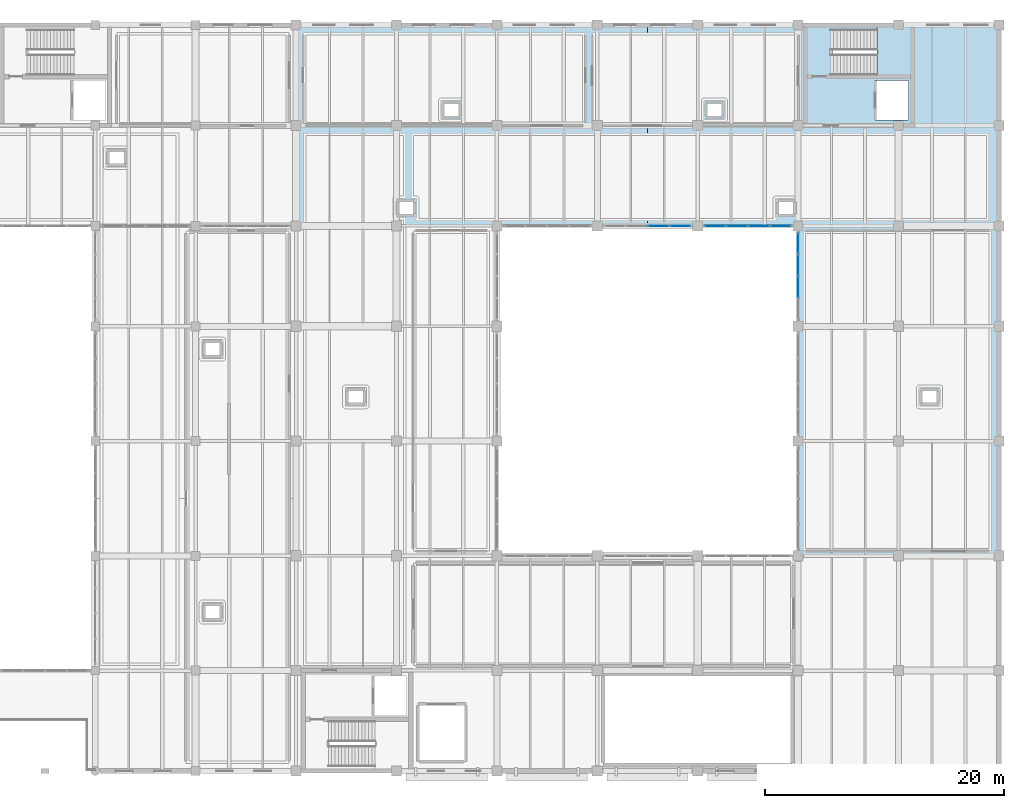
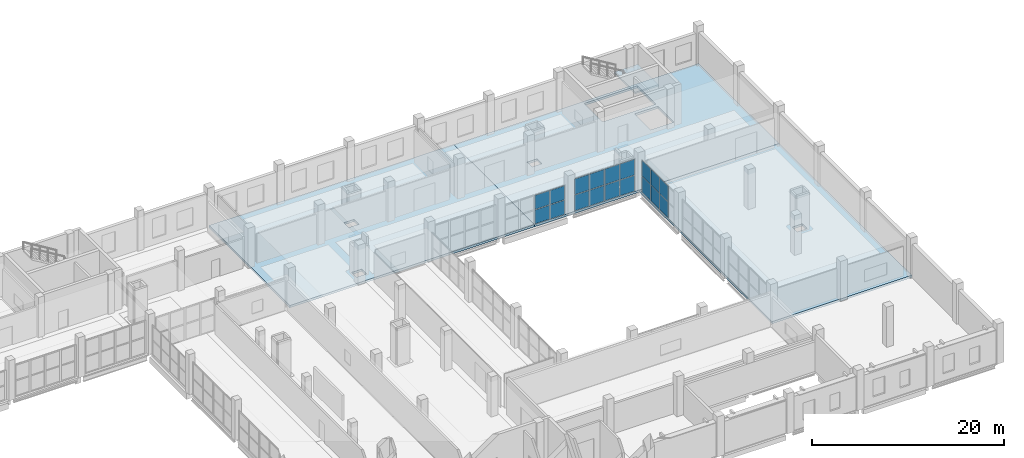
# One storey, part 43 of 66: 18 plates, 4 slabs, 4 elements without a shape of their own.
"""IFC4 building model written with IfcOpenShell, lengths in metres."""

import ifcopenshell
import ifcopenshell.guid

model = None  # the IFC model being written
_history = None  # IfcOwnerHistory: only IFC2X3 demands one
_inside = {}  # id of a spatial element -> (the spatial element, [elements in it])
_under = {}  # id of a project, library or spatial element -> (it, [spatial elements below it])
_declared = {}  # id of a project -> (the project, [libraries it declares])
_typed = {}  # id of a type object -> (the type object, [elements of that type])
_made_of = {}  # id of a material, layer set ... -> (it, [elements and type objects made of it])


def new_model(schema):
    """Start an empty IFC model of exactly this schema.

    Asked for "IFC4X3", IfcOpenShell would pick the latest addendum, in which some entities
    have other attributes; the version numbers below select the first issue.
    IFC2X3 requires an IfcOwnerHistory on every rooted entity: one is made here for all.
    """
    global model, _history
    if schema == "IFC4X3":
        model = ifcopenshell.file(schema_version=(4, 3, 0, 0))
    else:
        model = ifcopenshell.file(schema=schema)
    _inside.clear()
    _under.clear()
    _declared.clear()
    _typed.clear()
    _made_of.clear()
    _history = None
    if model.schema == "IFC2X3":
        org = make("IfcOrganization", Name="unknown")
        user = make(
            "IfcPersonAndOrganization",
            ThePerson=make("IfcPerson", FamilyName="unknown"),
            TheOrganization=org,
        )
        app = make(
            "IfcApplication",
            ApplicationDeveloper=org,
            Version="unknown",
            ApplicationFullName="unknown",
            ApplicationIdentifier="unknown",
        )
        _history = make(
            "IfcOwnerHistory",
            OwningUser=user,
            OwningApplication=app,
            ChangeAction="ADDED",
            CreationDate=0,
        )
    return model


def make(cls, **values):
    """One entity of the class cls with the attributes given. An attribute that is None is left unset."""
    return model.create_entity(
        cls, **{name: value for name, value in values.items() if value is not None}
    )


def rooted(cls, **values):
    """An entity with a GlobalId (a new one), such as an element, a storey or a relation."""
    return make(cls, GlobalId=ifcopenshell.guid.new(), OwnerHistory=_history, **values)


def si_unit(unit_type, name, prefix=None):
    """IfcSIUnit, for example si_unit("LENGTHUNIT", "METRE", prefix="MILLI")."""
    return make("IfcSIUnit", UnitType=unit_type, Prefix=prefix, Name=name)


def assignment(units):
    """IfcUnitAssignment: the units of a project."""
    return None if units is None else make("IfcUnitAssignment", Units=units)


def point(xyz):
    """IfcCartesianPoint."""
    return None if xyz is None else make("IfcCartesianPoint", Coordinates=xyz)


def direction(xyz):
    """IfcDirection."""
    return None if xyz is None else make("IfcDirection", DirectionRatios=xyz)


def frame(location, z_axis=None, x_axis=None):
    """IfcAxis2Placement3D, a coordinate frame: its origin and axes. An axis left out is left unset."""
    return make(
        "IfcAxis2Placement3D",
        Location=point(location),
        Axis=direction(z_axis),
        RefDirection=direction(x_axis),
    )


def frame_2d(location, x_axis=None):
    """IfcAxis2Placement2D, a coordinate frame in the plane: its origin and x axis."""
    return make(
        "IfcAxis2Placement2D", Location=point(location), RefDirection=direction(x_axis)
    )


def origin():
    """The frame at (0, 0, 0) with its axes left unset."""
    return frame((0.0, 0.0, 0.0))


def origin_2d():
    """The frame at (0, 0) in the plane with its x axis left unset."""
    return frame_2d((0.0, 0.0))


def place(relative_to, where):
    """IfcLocalPlacement: puts the frame where relative to a parent placement (None: the world)."""
    return make(
        "IfcLocalPlacement", PlacementRelTo=relative_to, RelativePlacement=where
    )


def context(
    kind, dimensions, precision=None, world=None, true_north=None, identifier=None
):
    """IfcGeometricRepresentationContext, for example the 3D "Model" context."""
    return make(
        "IfcGeometricRepresentationContext",
        ContextIdentifier=identifier,
        ContextType=kind,
        CoordinateSpaceDimension=dimensions,
        Precision=precision,
        WorldCoordinateSystem=world,
        TrueNorth=true_north,
    )


def subcontext(parent, identifier, kind, view, scale=None):
    """IfcGeometricRepresentationSubContext, for example "Body" below "Model"."""
    return make(
        "IfcGeometricRepresentationSubContext",
        ContextIdentifier=identifier,
        ContextType=kind,
        ParentContext=parent,
        TargetScale=scale,
        TargetView=view,
    )


def project(units=None, contexts=None):
    """IfcProject with its units and contexts."""
    return rooted(
        "IfcProject",
        Name="project",
        RepresentationContexts=contexts,
        UnitsInContext=assignment(units),
    )


def spatial(cls, under=None, at=None, **own):
    """A site, building, storey or space (cls), placed at a placement, below another one or the project."""
    s = rooted(cls, ObjectPlacement=at, **own)
    if under is not None:
        _under.setdefault(under.id(), (under, []))[1].append(s)
    return s


def polyline(points):
    """IfcPolyline through the points."""
    return make("IfcPolyline", Points=[point(p) for p in points])


def profile(cls, at=None, kind="AREA", **sizes):
    """A parametric profile (cls). Its sizes go by their IFC names, for example OverallWidth=200.0."""
    return make(cls, ProfileType=kind, Position=at, **sizes)


def rectangle(**sizes):
    """IfcRectangleProfileDef."""
    return profile("IfcRectangleProfileDef", **sizes)


def outline(outer, holes=None, kind="AREA"):
    """IfcArbitraryClosedProfileDef: a profile drawn as a closed curve; with holes, ...WithVoids."""
    if holes is None:
        return make("IfcArbitraryClosedProfileDef", ProfileType=kind, OuterCurve=outer)
    return make(
        "IfcArbitraryProfileDefWithVoids",
        ProfileType=kind,
        OuterCurve=outer,
        InnerCurves=holes,
    )


def extrude(swept, where, along, depth):
    """IfcExtrudedAreaSolid: the profile swept, set in the frame where, extruded along a direction by depth."""
    return make(
        "IfcExtrudedAreaSolid",
        SweptArea=swept,
        Position=where,
        ExtrudedDirection=direction(along),
        Depth=depth,
    )


def shape(context_of_items, identifier, shape_type, items):
    """IfcShapeRepresentation: the items that make up one representation, for example the "Body"."""
    return make(
        "IfcShapeRepresentation",
        ContextOfItems=context_of_items,
        RepresentationIdentifier=identifier,
        RepresentationType=shape_type,
        Items=items,
    )


def material(Name=None, Category=None):
    """IfcMaterial."""
    return make("IfcMaterial", Name=Name, Category=Category)


def layer(
    of_material, thickness, ventilated=None, Name=None, Category=None, Priority=None
):
    """IfcMaterialLayer: one layer of a wall or slab, of a material (None: an air gap)."""
    return make(
        "IfcMaterialLayer",
        Material=of_material,
        LayerThickness=thickness,
        IsVentilated=ventilated,
        Name=Name,
        Category=Category,
        Priority=Priority,
    )


def layer_set(layers, Name=None):
    """IfcMaterialLayerSet."""
    return make("IfcMaterialLayerSet", MaterialLayers=layers, LayerSetName=Name)


def made_of(thing, what):
    """Note that an element or type object is made of a material, layer set ...; save() writes the relation."""
    if what is not None:
        _made_of.setdefault(what.id(), (what, []))[1].append(thing)
    return thing


def type_object(cls, material=None, **own):
    """A type object (cls), such as IfcWallType, which elements share."""
    return made_of(rooted(cls, **own), material)


def element(
    cls,
    number,
    at=None,
    inside=None,
    cuts=None,
    type_object=None,
    material=None,
    context=None,
    identifier="Body",
    shape_type=None,
    held_by="IfcProductDefinitionShape",
    body=None,
    shapes=None,
    **own,
):
    """One element of the class cls, such as IfcWall. Its Tag is "e" and its number.

    at: its placement. inside: the storey or other place that contains it. cuts: it is an
    opening in that element (IfcRelVoidsElement). A single representation is given by context,
    identifier, shape_type and body (its items); several are given by shapes. held_by: the class
    of the entity that holds the representations. save() writes the other relations.
    """
    e = rooted(cls, Tag="e%d" % number, ObjectPlacement=at, **own)
    if body is not None:
        shapes = [shape(context, identifier, shape_type, body)]
    if shapes is not None:
        e.Representation = make(held_by, Representations=shapes)
    if inside is not None:
        _inside.setdefault(inside.id(), (inside, []))[1].append(e)
    if cuts is not None:
        rooted(
            "IfcRelVoidsElement", RelatingBuildingElement=cuts, RelatedOpeningElement=e
        )
    if type_object is not None:
        _typed.setdefault(type_object.id(), (type_object, []))[1].append(e)
    return made_of(e, material)


def aggregate(whole, parts):
    """IfcRelAggregates: a whole, such as a stair, and the parts it consists of."""
    return rooted("IfcRelAggregates", RelatingObject=whole, RelatedObjects=parts)


def save(model, path):
    """Write the relations noted so far, then the file.

    IfcRelAggregates (storeys below a building ...), IfcRelContainedInSpatialStructure (elements
    in a storey), IfcRelDefinesByType, IfcRelAssociatesMaterial and IfcRelDeclares: one each for
    every whole, place, type object, material and project.
    """
    for whole, parts in _under.values():
        aggregate(whole, parts)
    for where, things in _inside.values():
        rooted(
            "IfcRelContainedInSpatialStructure",
            RelatedElements=things,
            RelatingStructure=where,
        )
    for kind, things in _typed.values():
        rooted("IfcRelDefinesByType", RelatedObjects=things, RelatingType=kind)
    for what, things in _made_of.values():
        rooted("IfcRelAssociatesMaterial", RelatedObjects=things, RelatingMaterial=what)
    for by, libraries in _declared.values():
        rooted("IfcRelDeclares", RelatingContext=by, RelatedDefinitions=libraries)
    model.write(path)


model = new_model("IFC4")

# Units and contexts
model_context = context("Model", 3, precision=1e-05, world=origin(), true_north=direction((0.0, 1.0)))
body_context = subcontext(model_context, "Body", "Model", "MODEL_VIEW")
ifc_project = project(units=[si_unit("LENGTHUNIT", "METRE"), si_unit("AREAUNIT", "SQUARE_METRE"), si_unit("VOLUMEUNIT", "CUBIC_METRE"), si_unit("PLANEANGLEUNIT", "RADIAN"), si_unit("MASSUNIT", "GRAM", prefix="KILO")], contexts=[model_context])

# Site, building, storey
site_placement = place(None, origin())
site = spatial("IfcSite", under=ifc_project, at=site_placement, CompositionType="ELEMENT")
building_placement = place(site_placement, origin())
building = spatial("IfcBuilding", under=site, at=building_placement, Name="Zulmaris Art Gallery", CompositionType="ELEMENT")
storey_placement = place(building_placement, frame((0.0, 0.0, 5.39990234375)))
storey = spatial("IfcBuildingStorey", under=building, at=storey_placement, Name="L01", CompositionType="ELEMENT", Elevation=5.39990234375)

# Curtain wall, plates
ifc_material_1 = material(Name="Courtyard Artists Studio Curtain Wall", Category="aluminium")
ifc_layer_1 = layer(ifc_material_1, 0.179931640625)
ifc_layer_set_1 = layer_set([ifc_layer_1], Name="Courtyard Artists Studio Curtain Wall")
curtain_wall_type = type_object("IfcCurtainWallType", Name="CW-CW04", PredefinedType="NOTDEFINED", material=ifc_layer_set_1)
curtain_wall_1_placement = place(storey_placement, origin())
curtain_wall_1 = element("IfcCurtainWall", 1, at=curtain_wall_1_placement, inside=storey, type_object=curtain_wall_type, Name="L01 curtain wall 128", PredefinedType="NOTDEFINED")
ifc_material_2 = material(Name="Triple Solar-Control Laminated Glass", Category="glass")
ifc_layer_2 = layer(ifc_material_2, 0.035888671875)
ifc_layer_set_2 = layer_set([ifc_layer_2], Name="Triple Solar-Control Laminated Glass")
plate_type = type_object("IfcPlateType", Name="CWPAN-GLZ", PredefinedType="CURTAIN_PANEL", material=ifc_layer_set_2)
plate_1_placement = place(storey_placement, frame((183.60009765625, 57.326171875, 0.0751953125), z_axis=(0.0, 0.0, 1.0), x_axis=(0.0, -1.0, 0.0)))
plate_1 = element("IfcPlate", 2, at=plate_1_placement, type_object=plate_type, Name="CW04 panel 1.1", PredefinedType="CURTAIN_PANEL", context=body_context, shape_type="SweptSolid", body=[
    extrude(rectangle(XDim=1.717529296875, YDim=0.031982421875, at=origin_2d()), origin(), (0.0, 0.0, 1.0), 1.972412109375),
])
plate_2_placement = place(storey_placement, frame((183.60009765625, 57.326171875, 2.12255859375), z_axis=(0.0, 0.0, 1.0), x_axis=(0.0, -1.0, 0.0)))
plate_2 = element("IfcPlate", 3, at=plate_2_placement, type_object=plate_type, Name="CW04 panel 1.2", PredefinedType="CURTAIN_PANEL", context=body_context, shape_type="SweptSolid", body=[
    extrude(rectangle(XDim=1.717529296875, YDim=0.031982421875, at=origin_2d()), origin(), (0.0, 0.0, 1.0), 1.972412109375),
])
plate_3_placement = place(storey_placement, frame((183.60009765625, 55.514892578125, 0.0751953125), z_axis=(0.0, 0.0, 1.0), x_axis=(0.0, -1.0, 0.0)))
plate_3 = element("IfcPlate", 4, at=plate_3_placement, type_object=plate_type, Name="CW04 panel 2.1", PredefinedType="CURTAIN_PANEL", context=body_context, shape_type="SweptSolid", body=[
    extrude(rectangle(XDim=1.7548828125, YDim=0.031982421875, at=origin_2d()), origin(), (0.0, 0.0, 1.0), 1.972412109375),
])
plate_4_placement = place(storey_placement, frame((183.60009765625, 55.514892578125, 2.12255859375), z_axis=(0.0, 0.0, 1.0), x_axis=(0.0, -1.0, 0.0)))
plate_4 = element("IfcPlate", 5, at=plate_4_placement, type_object=plate_type, Name="CW04 panel 2.2", PredefinedType="CURTAIN_PANEL", context=body_context, shape_type="SweptSolid", body=[
    extrude(rectangle(XDim=1.7548828125, YDim=0.031982421875, at=origin_2d()), origin(), (0.0, 0.0, 1.0), 1.972412109375),
])
plate_5_placement = place(storey_placement, frame((183.60009765625, 53.68505859375, 0.0751953125), z_axis=(0.0, 0.0, 1.0), x_axis=(0.0, -1.0, 0.0)))
plate_5 = element("IfcPlate", 6, at=plate_5_placement, type_object=plate_type, Name="CW04 panel 3.1", PredefinedType="CURTAIN_PANEL", context=body_context, shape_type="SweptSolid", body=[
    extrude(rectangle(XDim=1.7548828125, YDim=0.031982421875, at=origin_2d()), origin(), (0.0, 0.0, 1.0), 1.972412109375),
])
plate_6_placement = place(storey_placement, frame((183.60009765625, 53.68505859375, 2.12255859375), z_axis=(0.0, 0.0, 1.0), x_axis=(0.0, -1.0, 0.0)))
plate_6 = element("IfcPlate", 7, at=plate_6_placement, type_object=plate_type, Name="CW04 panel 3.2", PredefinedType="CURTAIN_PANEL", context=body_context, shape_type="SweptSolid", body=[
    extrude(rectangle(XDim=1.7548828125, YDim=0.031982421875, at=origin_2d()), origin(), (0.0, 0.0, 1.0), 1.972412109375),
])
aggregate(curtain_wall_1, [plate_1, plate_2, plate_3, plate_4, plate_5, plate_6])

curtain_wall_2_placement = place(storey_placement, origin())
curtain_wall_2 = element("IfcCurtainWall", 8, at=curtain_wall_2_placement, inside=storey, type_object=curtain_wall_type, Name="L01 curtain wall 131", PredefinedType="NOTDEFINED")
plate_7_placement = place(storey_placement, frame((173.726318359375, 58.800048828125, 0.0751953125), z_axis=(0.0, 0.0, 1.0), x_axis=(-1.0, 0.0, 0.0)))
plate_7 = element("IfcPlate", 9, at=plate_7_placement, type_object=plate_type, Name="CW04 panel 1.1", PredefinedType="CURTAIN_PANEL", context=body_context, shape_type="SweptSolid", body=[
    extrude(rectangle(XDim=1.717529296875, YDim=0.031982421875, at=origin_2d()), origin(), (0.0, 0.0, 1.0), 1.7724609375),
])
plate_8_placement = place(storey_placement, frame((173.726318359375, 58.800048828125, 1.922607421875), z_axis=(0.0, 0.0, 1.0), x_axis=(-1.0, 0.0, 0.0)))
plate_8 = element("IfcPlate", 10, at=plate_8_placement, type_object=plate_type, Name="CW04 panel 1.2", PredefinedType="CURTAIN_PANEL", context=body_context, shape_type="SweptSolid", body=[
    extrude(rectangle(XDim=1.717529296875, YDim=0.031982421875, at=origin_2d()), origin(), (0.0, 0.0, 1.0), 1.7724609375),
])
plate_9_placement = place(storey_placement, frame((171.9150390625, 58.800048828125, 0.0751953125), z_axis=(0.0, 0.0, 1.0), x_axis=(-1.0, 0.0, 0.0)))
plate_9 = element("IfcPlate", 11, at=plate_9_placement, type_object=plate_type, Name="CW04 panel 2.1", PredefinedType="CURTAIN_PANEL", context=body_context, shape_type="SweptSolid", body=[
    extrude(rectangle(XDim=1.7548828125, YDim=0.031982421875, at=origin_2d()), origin(), (0.0, 0.0, 1.0), 1.7724609375),
])
plate_10_placement = place(storey_placement, frame((171.9150390625, 58.800048828125, 1.922607421875), z_axis=(0.0, 0.0, 1.0), x_axis=(-1.0, 0.0, 0.0)))
plate_10 = element("IfcPlate", 12, at=plate_10_placement, type_object=plate_type, Name="CW04 panel 2.2", PredefinedType="CURTAIN_PANEL", context=body_context, shape_type="SweptSolid", body=[
    extrude(rectangle(XDim=1.7548828125, YDim=0.031982421875, at=origin_2d()), origin(), (0.0, 0.0, 1.0), 1.7724609375),
])
aggregate(curtain_wall_2, [plate_7, plate_8, plate_9, plate_10])

curtain_wall_3_placement = place(storey_placement, origin())
curtain_wall_3 = element("IfcCurtainWall", 13, at=curtain_wall_3_placement, inside=storey, type_object=curtain_wall_type, Name="L01 curtain wall 133", PredefinedType="NOTDEFINED")
plate_11_placement = place(storey_placement, frame((182.126220703125, 58.800048828125, 0.0751953125), z_axis=(0.0, 0.0, 1.0), x_axis=(-1.0, 0.0, 0.0)))
plate_11 = element("IfcPlate", 14, at=plate_11_placement, type_object=plate_type, Name="CW04 panel 1.1", PredefinedType="CURTAIN_PANEL", context=body_context, shape_type="SweptSolid", body=[
    extrude(rectangle(XDim=1.717529296875, YDim=0.031982421875, at=origin_2d()), origin(), (0.0, 0.0, 1.0), 1.9775390625),
])
plate_12_placement = place(storey_placement, frame((182.126220703125, 58.800048828125, 2.127685546875), z_axis=(0.0, 0.0, 1.0), x_axis=(-1.0, 0.0, 0.0)))
plate_12 = element("IfcPlate", 15, at=plate_12_placement, type_object=plate_type, Name="CW04 panel 1.2", PredefinedType="CURTAIN_PANEL", context=body_context, shape_type="SweptSolid", body=[
    extrude(rectangle(XDim=1.717529296875, YDim=0.031982421875, at=origin_2d()), origin(), (0.0, 0.0, 1.0), 1.9775390625),
])
plate_13_placement = place(storey_placement, frame((180.31494140625, 58.800048828125, 0.0751953125), z_axis=(0.0, 0.0, 1.0), x_axis=(-1.0, 0.0, 0.0)))
plate_13 = element("IfcPlate", 16, at=plate_13_placement, type_object=plate_type, Name="CW04 panel 2.1", PredefinedType="CURTAIN_PANEL", context=body_context, shape_type="SweptSolid", body=[
    extrude(rectangle(XDim=1.7548828125, YDim=0.031982421875, at=origin_2d()), origin(), (0.0, 0.0, 1.0), 1.9775390625),
])
plate_14_placement = place(storey_placement, frame((180.31494140625, 58.800048828125, 2.127685546875), z_axis=(0.0, 0.0, 1.0), x_axis=(-1.0, 0.0, 0.0)))
plate_14 = element("IfcPlate", 17, at=plate_14_placement, type_object=plate_type, Name="CW04 panel 2.2", PredefinedType="CURTAIN_PANEL", context=body_context, shape_type="SweptSolid", body=[
    extrude(rectangle(XDim=1.7548828125, YDim=0.031982421875, at=origin_2d()), origin(), (0.0, 0.0, 1.0), 1.9775390625),
])
plate_15_placement = place(storey_placement, frame((178.485107421875, 58.800048828125, 0.0751953125), z_axis=(0.0, 0.0, 1.0), x_axis=(-1.0, 0.0, 0.0)))
plate_15 = element("IfcPlate", 18, at=plate_15_placement, type_object=plate_type, Name="CW04 panel 3.1", PredefinedType="CURTAIN_PANEL", context=body_context, shape_type="SweptSolid", body=[
    extrude(rectangle(XDim=1.7548828125, YDim=0.031982421875, at=origin_2d()), origin(), (0.0, 0.0, 1.0), 1.9775390625),
])
plate_16_placement = place(storey_placement, frame((178.485107421875, 58.800048828125, 2.127685546875), z_axis=(0.0, 0.0, 1.0), x_axis=(-1.0, 0.0, 0.0)))
plate_16 = element("IfcPlate", 19, at=plate_16_placement, type_object=plate_type, Name="CW04 panel 3.2", PredefinedType="CURTAIN_PANEL", context=body_context, shape_type="SweptSolid", body=[
    extrude(rectangle(XDim=1.7548828125, YDim=0.031982421875, at=origin_2d()), origin(), (0.0, 0.0, 1.0), 1.9775390625),
])
plate_17_placement = place(storey_placement, frame((176.673828125, 58.800048828125, 0.0751953125), z_axis=(0.0, 0.0, 1.0), x_axis=(-1.0, 0.0, 0.0)))
plate_17 = element("IfcPlate", 20, at=plate_17_placement, type_object=plate_type, Name="CW04 panel 4.1", PredefinedType="CURTAIN_PANEL", context=body_context, shape_type="SweptSolid", body=[
    extrude(rectangle(XDim=1.717529296875, YDim=0.031982421875, at=origin_2d()), origin(), (0.0, 0.0, 1.0), 1.9775390625),
])
plate_18_placement = place(storey_placement, frame((176.673828125, 58.800048828125, 2.127685546875), z_axis=(0.0, 0.0, 1.0), x_axis=(-1.0, 0.0, 0.0)))
plate_18 = element("IfcPlate", 21, at=plate_18_placement, type_object=plate_type, Name="CW04 panel 4.2", PredefinedType="CURTAIN_PANEL", context=body_context, shape_type="SweptSolid", body=[
    extrude(rectangle(XDim=1.717529296875, YDim=0.031982421875, at=origin_2d()), origin(), (0.0, 0.0, 1.0), 1.9775390625),
])
aggregate(curtain_wall_3, [plate_11, plate_12, plate_13, plate_14, plate_15, plate_16, plate_17, plate_18])

# Slabs
ifc_material_3 = material(Name="Concrete C40/50", Category="concrete")
ifc_layer_3 = layer(ifc_material_3, 0.280029296875)
ifc_layer_set_3 = layer_set([ifc_layer_3], Name="Concrete C40/50")
slab_type_1 = type_object("IfcSlabType", Name="SLAB-SL-FL02", PredefinedType="FLOOR", material=ifc_layer_set_3)
slab_1_placement = place(storey_placement, frame((0.0, 0.0, -0.27978515625)))
element("IfcSlab", 22, at=slab_1_placement, inside=storey, type_object=slab_type_1, Name="L01 V5-E slab", PredefinedType="FLOOR", context=body_context, shape_type="SweptSolid", body=[
    extrude(outline(polyline([(183.60009765625, 31.199951171875), (183.60009765625, 58.800048828125), (200.39990234375, 58.800048828125), (200.39990234375, 31.199951171875), (183.60009765625, 31.199951171875)]), holes=[polyline([(195.199951171875, 44.0), (195.199951171875, 45.0), (194.0, 45.0), (194.0, 44.0), (195.199951171875, 44.0)])]), origin(), (0.0, 0.0, 1.0), 0.27978515625),
])
slab_2_placement = place(storey_placement, frame((0.0, 0.0, -0.27978515625)))
element("IfcSlab", 23, at=slab_2_placement, inside=storey, type_object=slab_type_1, Name="L01 V5-NW slab", PredefinedType="FLOOR", context=body_context, shape_type="SweptSolid", body=[
    extrude(outline(polyline([(171.0, 75.60009765625), (171.0, 58.800048828125), (158.39990234375, 58.800048828125), (141.60009765625, 58.800048828125), (141.60009765625, 75.60009765625), (171.0, 75.60009765625)]), holes=[polyline([(151.39990234375, 59.800048828125), (151.39990234375, 60.800048828125), (150.199951171875, 60.800048828125), (150.199951171875, 59.800048828125), (151.39990234375, 59.800048828125)]), polyline([(155.199951171875, 68.0), (155.199951171875, 69.0), (154.0, 69.0), (154.0, 68.0), (155.199951171875, 68.0)])]), origin(), (0.0, 0.0, 1.0), 0.27978515625),
])
slab_3_placement = place(storey_placement, frame((0.0, 0.0, -0.27978515625)))
element("IfcSlab", 24, at=slab_3_placement, inside=storey, type_object=slab_type_1, Name="L01 V5-NE slab", PredefinedType="FLOOR", context=body_context, shape_type="SweptSolid", body=[
    extrude(outline(polyline([(200.39990234375, 58.800048828125), (183.60009765625, 58.800048828125), (171.0, 58.800048828125), (171.0, 75.60009765625), (200.39990234375, 75.60009765625), (200.39990234375, 58.800048828125)]), holes=[polyline([(183.199951171875, 59.800048828125), (183.199951171875, 60.800048828125), (182.0, 60.800048828125), (182.0, 59.800048828125), (183.199951171875, 59.800048828125)]), polyline([(177.199951171875, 68.0), (177.199951171875, 69.0), (176.0, 69.0), (176.0, 68.0), (177.199951171875, 68.0)]), polyline([(192.85009765625, 67.64990234375), (192.85009765625, 70.97998046875), (190.050048828125, 70.97998046875), (190.050048828125, 67.64990234375), (192.85009765625, 67.64990234375)]), polyline([(186.4599609375, 75.25), (186.4599609375, 71.409912109375), (192.85009765625, 71.409912109375), (192.85009765625, 75.25), (186.4599609375, 75.25)])]), origin(), (0.0, 0.0, 1.0), 0.27978515625),
])

# Stair, slab
stair_type = type_object("IfcStairType", Name="STAIR-CORE", PredefinedType="HALF_TURN_STAIR", material=ifc_material_3)
stair_placement = place(storey_placement, origin())
stair = element("IfcStair", 25, at=stair_placement, inside=storey, type_object=stair_type, Name="L01 Exit Stair ST4", PredefinedType="HALF_TURN_STAIR")
ifc_layer_4 = layer(ifc_material_3, 0.2099609375)
ifc_layer_set_4 = layer_set([ifc_layer_4], Name="Concrete C40/50")
slab_type_2 = type_object("IfcSlabType", Name="SLAB-STLND", PredefinedType="LANDING", material=ifc_layer_set_4)
slab_4_placement = place(storey_placement, frame((0.0, 0.0, 2.35009765625)))
slab_4 = element("IfcSlab", 26, at=slab_4_placement, type_object=slab_type_2, Name="ST4 landing 1", PredefinedType="LANDING", context=body_context, shape_type="SweptSolid", body=[
    extrude(outline(polyline([(190.219970703125, 71.18994140625), (193.050048828125, 71.18994140625), (193.050048828125, 75.469970703125), (190.219970703125, 75.469970703125), (190.219970703125, 71.18994140625)])), origin(), (0.0, 0.0, 1.0), 0.199951171875),
])
aggregate(stair, [slab_4])

save(model, "model.ifc")
